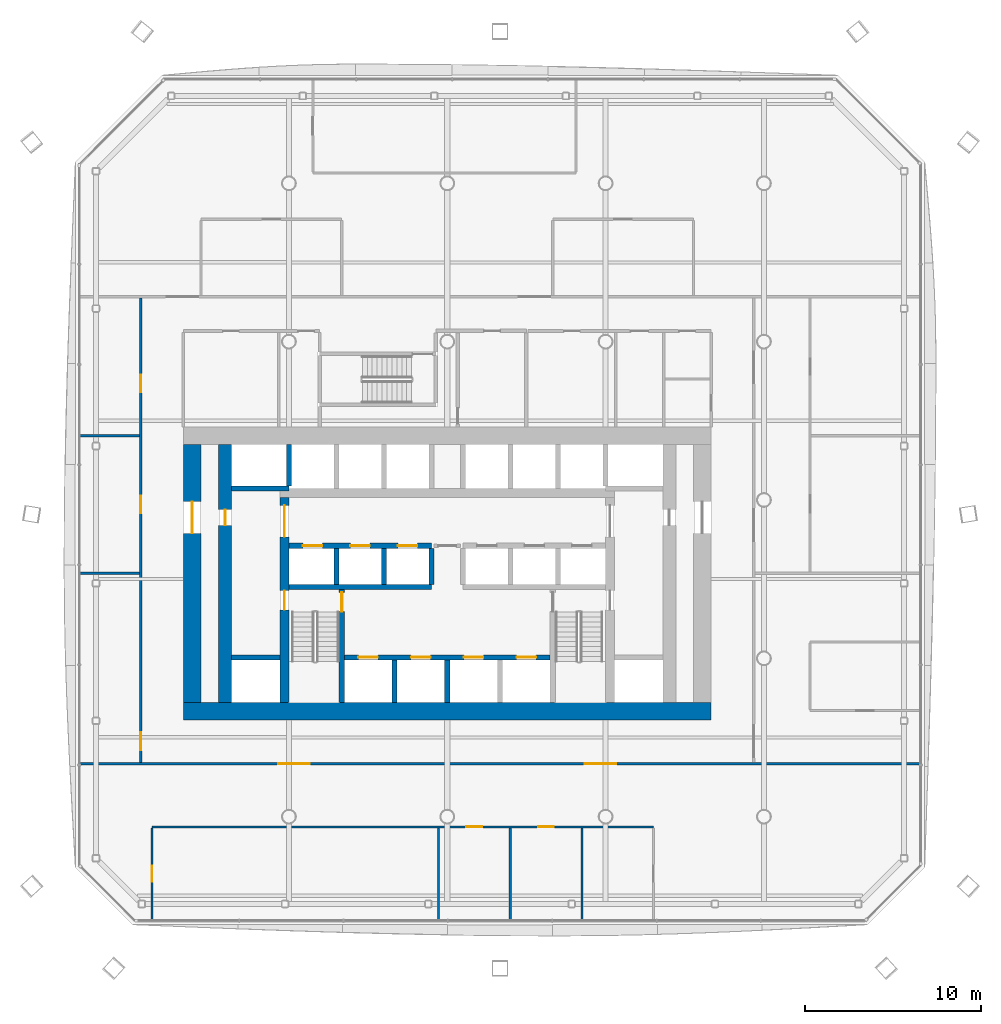
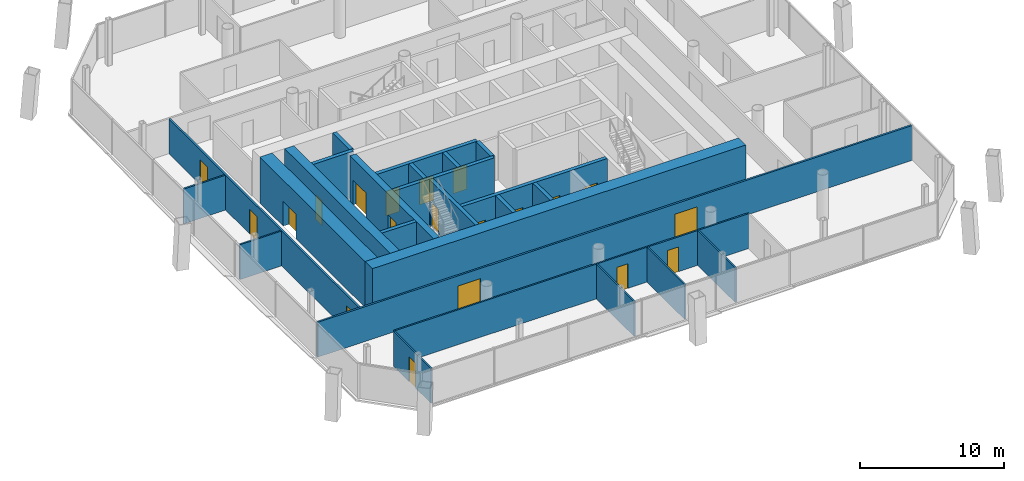
# One storey, part 11 of 19: 25 walls, 20 doors, 20 openings.
"""IFC4 building model written with IfcOpenShell, lengths in metres."""

from ifc_helpers import new_model, si_unit, direction, frame, frame_2d, origin, place, context, subcontext, project, spatial, rectangle, extrude, material, layer, layer_set, type_object, element, fill, save


model = new_model("IFC4")

# Units and contexts
model_context = context("Model", 3, precision=1e-05, world=origin(), true_north=direction((0.0, 1.0)))
body_context = subcontext(model_context, "Body", "Model", "MODEL_VIEW")
ifc_project = project(units=[si_unit("LENGTHUNIT", "METRE"), si_unit("AREAUNIT", "SQUARE_METRE"), si_unit("VOLUMEUNIT", "CUBIC_METRE"), si_unit("PLANEANGLEUNIT", "RADIAN"), si_unit("MASSUNIT", "GRAM", prefix="KILO")], contexts=[model_context])

# Site, building, storey
site_placement = place(None, origin())
site = spatial("IfcSite", under=ifc_project, at=site_placement, CompositionType="ELEMENT")
building_placement = place(site_placement, origin())
building = spatial("IfcBuilding", under=site, at=building_placement, Name="Tskaro Facet Tower", CompositionType="ELEMENT")
storey_placement = place(building_placement, frame((0.0, 0.0, 105.0)))
storey = spatial("IfcBuildingStorey", under=building, at=storey_placement, Name="L25", CompositionType="ELEMENT", Elevation=105.0)

# Wall
ifc_material_1 = material(Name="Concrete C60/75", Category="concrete")
ifc_layer_1 = layer(ifc_material_1, 0.300048828125, Name="Concrete C60/75")
ifc_layer_set_1 = layer_set([ifc_layer_1], Name="Concrete C60/75")
wall_type_1 = type_object("IfcWallType", Name="CORE-SHAFT", PredefinedType="SHEAR", material=ifc_layer_set_1)
wall_1_placement = place(storey_placement, frame((-12.25, -8.949951171875, 0.0), z_axis=(0.0, 0.0, 1.0), x_axis=(1.0, 0.0, 0.0)))
element("IfcWall", 1, at=wall_1_placement, inside=storey, type_object=wall_type_1, Name="Shaft wall W004", PredefinedType="SHEAR", context=body_context, shape_type="SweptSolid", body=[
    extrude(rectangle(XDim=2.75, YDim=0.300048828125, at=frame_2d((1.375, 0.0))), origin(), (0.0, 0.0, 1.0), 3.89990234375),
])

# Wall, openings, doors
wall_2_placement = place(storey_placement, frame((-5.85009765625, -8.949951171875, 0.0), z_axis=(0.0, 0.0, 1.0), x_axis=(1.0, 0.0, 0.0)))
wall_2 = element("IfcWall", 2, at=wall_2_placement, inside=storey, type_object=wall_type_1, Name="Shaft wall W005", PredefinedType="SHEAR", context=body_context, shape_type="SweptSolid", body=[
    extrude(rectangle(XDim=11.7001953125, YDim=0.300048828125, at=frame_2d((5.85009765625, 0.0))), origin(), (0.0, 0.0, 1.0), 3.89990234375),
])
opening_1_placement = place(wall_2_placement, frame((0.800048828125, 0.0, 0.0)))
opening_1 = element("IfcOpeningElement", 3, at=opening_1_placement, cuts=wall_2, Name="Opening LD-FF1", PredefinedType="OPENING", context=body_context, shape_type="SweptSolid", body=[
    extrude(rectangle(XDim=1.10009765625, YDim=2.10009765625, at=frame_2d((0.550048828125, 1.050048828125))), frame((0.0, 0.159912109375, 0.0), z_axis=(0.0, -1.0, 0.0), x_axis=(1.0, 0.0, 0.0)), (0.0, 0.0, 1.0), 0.320068359375),
])
opening_2_placement = place(wall_2_placement, frame((3.800048828125, 0.0, 0.0)))
opening_2 = element("IfcOpeningElement", 4, at=opening_2_placement, cuts=wall_2, Name="Opening LD-FF2", PredefinedType="OPENING", context=body_context, shape_type="SweptSolid", body=[
    extrude(rectangle(XDim=1.10009765625, YDim=2.10009765625, at=frame_2d((0.550048828125, 1.050048828125))), frame((0.0, 0.159912109375, 0.0), z_axis=(0.0, -1.0, 0.0), x_axis=(1.0, 0.0, 0.0)), (0.0, 0.0, 1.0), 0.320068359375),
])
opening_3_placement = place(wall_2_placement, frame((6.800048828125, 0.0, 0.0)))
opening_3 = element("IfcOpeningElement", 5, at=opening_3_placement, cuts=wall_2, Name="Opening LD-SV1", PredefinedType="OPENING", context=body_context, shape_type="SweptSolid", body=[
    extrude(rectangle(XDim=1.10009765625, YDim=2.10009765625, at=frame_2d((0.550048828125, 1.050048828125))), frame((0.0, 0.159912109375, 0.0), z_axis=(0.0, -1.0, 0.0), x_axis=(1.0, 0.0, 0.0)), (0.0, 0.0, 1.0), 0.320068359375),
])
opening_4_placement = place(wall_2_placement, frame((9.800048828125, 0.0, 0.0)))
opening_4 = element("IfcOpeningElement", 6, at=opening_4_placement, cuts=wall_2, Name="Opening LD-SV2", PredefinedType="OPENING", context=body_context, shape_type="SweptSolid", body=[
    extrude(rectangle(XDim=1.10009765625, YDim=2.10009765625, at=frame_2d((0.550048828125, 1.050048828125))), frame((0.0, 0.159912109375, 0.0), z_axis=(0.0, -1.0, 0.0), x_axis=(1.0, 0.0, 0.0)), (0.0, 0.0, 1.0), 0.320068359375),
])
ifc_material_2 = material(Name="Stainless steel", Category="steel")
door_type_1 = type_object("IfcDoorType", Name="D-LANDING", OperationType="NOTDEFINED", PredefinedType="DOOR", material=ifc_material_2)
door_1_placement = place(opening_1_placement, origin())
door_1 = element("IfcDoor", 7, at=door_1_placement, inside=storey, type_object=door_type_1, Name="Landing door FF1", OperationType="DOUBLE_DOOR_SLIDING", OverallHeight=2.10009765625, OverallWidth=1.10009765625, PredefinedType="DOOR", context=body_context, shape_type="SweptSolid", body=[
    extrude(rectangle(XDim=1.10009765625, YDim=2.10009765625, at=frame_2d((0.550048828125, 1.050048828125))), frame((0.0, 0.02490234375, 0.0), z_axis=(0.0, -1.0, 0.0), x_axis=(1.0, 0.0, 0.0)), (0.0, 0.0, 1.0), 0.050048828125),
])
fill(opening_1, door_1)
door_2_placement = place(opening_2_placement, origin())
door_2 = element("IfcDoor", 8, at=door_2_placement, inside=storey, type_object=door_type_1, Name="Landing door FF2", OperationType="DOUBLE_DOOR_SLIDING", OverallHeight=2.10009765625, OverallWidth=1.10009765625, PredefinedType="DOOR", context=body_context, shape_type="SweptSolid", body=[
    extrude(rectangle(XDim=1.10009765625, YDim=2.10009765625, at=frame_2d((0.550048828125, 1.050048828125))), frame((0.0, 0.02490234375, 0.0), z_axis=(0.0, -1.0, 0.0), x_axis=(1.0, 0.0, 0.0)), (0.0, 0.0, 1.0), 0.050048828125),
])
fill(opening_2, door_2)
door_3_placement = place(opening_3_placement, origin())
door_3 = element("IfcDoor", 9, at=door_3_placement, inside=storey, type_object=door_type_1, Name="Landing door SV1", OperationType="DOUBLE_DOOR_SLIDING", OverallHeight=2.10009765625, OverallWidth=1.10009765625, PredefinedType="DOOR", context=body_context, shape_type="SweptSolid", body=[
    extrude(rectangle(XDim=1.10009765625, YDim=2.10009765625, at=frame_2d((0.550048828125, 1.050048828125))), frame((0.0, 0.02490234375, 0.0), z_axis=(0.0, -1.0, 0.0), x_axis=(1.0, 0.0, 0.0)), (0.0, 0.0, 1.0), 0.050048828125),
])
fill(opening_3, door_3)
door_4_placement = place(opening_4_placement, origin())
door_4 = element("IfcDoor", 10, at=door_4_placement, inside=storey, type_object=door_type_1, Name="Landing door SV2", OperationType="DOUBLE_DOOR_SLIDING", OverallHeight=2.10009765625, OverallWidth=1.10009765625, PredefinedType="DOOR", context=body_context, shape_type="SweptSolid", body=[
    extrude(rectangle(XDim=1.10009765625, YDim=2.10009765625, at=frame_2d((0.550048828125, 1.050048828125))), frame((0.0, 0.02490234375, 0.0), z_axis=(0.0, -1.0, 0.0), x_axis=(1.0, 0.0, 0.0)), (0.0, 0.0, 1.0), 0.050048828125),
])
fill(opening_4, door_4)

# Wall
wall_3_placement = place(storey_placement, frame((-9.0, -4.949951171875, 0.0), z_axis=(0.0, 0.0, 1.0), x_axis=(1.0, 0.0, 0.0)))
element("IfcWall", 11, at=wall_3_placement, inside=storey, type_object=wall_type_1, Name="Shaft wall W008", PredefinedType="SHEAR", context=body_context, shape_type="SweptSolid", body=[
    extrude(rectangle(XDim=8.10009765625, YDim=0.300048828125, at=frame_2d((4.050048828125, 0.0))), origin(), (0.0, 0.0, 1.0), 3.89990234375),
])

# Wall, openings, doors
wall_4_placement = place(storey_placement, frame((-9.0, -2.60009765625, 0.0), z_axis=(0.0, 0.0, 1.0), x_axis=(1.0, 0.0, 0.0)))
wall_4 = element("IfcWall", 12, at=wall_4_placement, inside=storey, type_object=wall_type_1, Name="Shaft wall W012", PredefinedType="SHEAR", context=body_context, shape_type="SweptSolid", body=[
    extrude(rectangle(XDim=8.10009765625, YDim=0.300048828125, at=frame_2d((4.050048828125, 0.0))), origin(), (0.0, 0.0, 1.0), 3.89990234375),
])
opening_5_placement = place(wall_4_placement, frame((0.800048828125, 0.0, 0.0)))
opening_5 = element("IfcOpeningElement", 13, at=opening_5_placement, cuts=wall_4, Name="Opening LD-LR1", PredefinedType="OPENING", context=body_context, shape_type="SweptSolid", body=[
    extrude(rectangle(XDim=1.10009765625, YDim=2.10009765625, at=frame_2d((0.550048828125, 1.050048828125))), frame((0.0, 0.159912109375, 0.0), z_axis=(0.0, -1.0, 0.0), x_axis=(1.0, 0.0, 0.0)), (0.0, 0.0, 1.0), 0.320068359375),
])
opening_6_placement = place(wall_4_placement, frame((3.5, 0.0, 0.0)))
opening_6 = element("IfcOpeningElement", 14, at=opening_6_placement, cuts=wall_4, Name="Opening LD-LR2", PredefinedType="OPENING", context=body_context, shape_type="SweptSolid", body=[
    extrude(rectangle(XDim=1.10009765625, YDim=2.10009765625, at=frame_2d((0.550048828125, 1.050048828125))), frame((0.0, 0.159912109375, 0.0), z_axis=(0.0, -1.0, 0.0), x_axis=(1.0, 0.0, 0.0)), (0.0, 0.0, 1.0), 0.320068359375),
])
opening_7_placement = place(wall_4_placement, frame((6.199951171875, 0.0, 0.0)))
opening_7 = element("IfcOpeningElement", 15, at=opening_7_placement, cuts=wall_4, Name="Opening LD-LR3", PredefinedType="OPENING", context=body_context, shape_type="SweptSolid", body=[
    extrude(rectangle(XDim=1.10009765625, YDim=2.10009765625, at=frame_2d((0.550048828125, 1.050048828125))), frame((0.0, 0.159912109375, 0.0), z_axis=(0.0, -1.0, 0.0), x_axis=(1.0, 0.0, 0.0)), (0.0, 0.0, 1.0), 0.320068359375),
])
door_5_placement = place(opening_5_placement, origin())
door_5 = element("IfcDoor", 16, at=door_5_placement, inside=storey, type_object=door_type_1, Name="Landing door LR1", OperationType="DOUBLE_DOOR_SLIDING", OverallHeight=2.10009765625, OverallWidth=1.10009765625, PredefinedType="DOOR", context=body_context, shape_type="SweptSolid", body=[
    extrude(rectangle(XDim=1.10009765625, YDim=2.10009765625, at=frame_2d((0.550048828125, 1.050048828125))), frame((0.0, 0.02490234375, 0.0), z_axis=(0.0, -1.0, 0.0), x_axis=(1.0, 0.0, 0.0)), (0.0, 0.0, 1.0), 0.050048828125),
])
fill(opening_5, door_5)
door_6_placement = place(opening_6_placement, origin())
door_6 = element("IfcDoor", 17, at=door_6_placement, inside=storey, type_object=door_type_1, Name="Landing door LR2", OperationType="DOUBLE_DOOR_SLIDING", OverallHeight=2.10009765625, OverallWidth=1.10009765625, PredefinedType="DOOR", context=body_context, shape_type="SweptSolid", body=[
    extrude(rectangle(XDim=1.10009765625, YDim=2.10009765625, at=frame_2d((0.550048828125, 1.050048828125))), frame((0.0, 0.02490234375, 0.0), z_axis=(0.0, -1.0, 0.0), x_axis=(1.0, 0.0, 0.0)), (0.0, 0.0, 1.0), 0.050048828125),
])
fill(opening_6, door_6)
door_7_placement = place(opening_7_placement, origin())
door_7 = element("IfcDoor", 18, at=door_7_placement, inside=storey, type_object=door_type_1, Name="Landing door LR3", OperationType="DOUBLE_DOOR_SLIDING", OverallHeight=2.10009765625, OverallWidth=1.10009765625, PredefinedType="DOOR", context=body_context, shape_type="SweptSolid", body=[
    extrude(rectangle(XDim=1.10009765625, YDim=2.10009765625, at=frame_2d((0.550048828125, 1.050048828125))), frame((0.0, 0.02490234375, 0.0), z_axis=(0.0, -1.0, 0.0), x_axis=(1.0, 0.0, 0.0)), (0.0, 0.0, 1.0), 0.050048828125),
])
fill(opening_7, door_7)

# Walls
wall_5_placement = place(storey_placement, frame((-9.0, 0.64990234375, 0.0), z_axis=(0.0, 0.0, 1.0), x_axis=(-1.0, 0.0, 0.0)))
element("IfcWall", 19, at=wall_5_placement, inside=storey, type_object=wall_type_1, Name="Shaft wall W015", PredefinedType="SHEAR", context=body_context, shape_type="SweptSolid", body=[
    extrude(rectangle(XDim=3.25, YDim=0.300048828125, at=frame_2d((1.625, 0.0))), origin(), (0.0, 0.0, 1.0), 3.89990234375),
])
wall_6_placement = place(storey_placement, frame((-9.0, 0.800048828125, 0.0), z_axis=(0.0, 0.0, 1.0), x_axis=(0.0, 1.0, 0.0)))
element("IfcWall", 20, at=wall_6_placement, inside=storey, type_object=wall_type_1, Name="Shaft wall W034", PredefinedType="SHEAR", context=body_context, shape_type="SweptSolid", body=[
    extrude(rectangle(XDim=2.349853515625, YDim=0.300048828125, at=frame_2d((1.1748046875, 0.0))), origin(), (0.0, 0.0, 1.0), 3.89990234375),
])
wall_7_placement = place(storey_placement, frame((-6.300048828125, -4.800048828125, 0.0), z_axis=(0.0, 0.0, 1.0), x_axis=(0.0, 1.0, 0.0)))
element("IfcWall", 21, at=wall_7_placement, inside=storey, type_object=wall_type_1, Name="Shaft wall W039", PredefinedType="SHEAR", context=body_context, shape_type="SweptSolid", body=[
    extrude(rectangle(XDim=2.050048828125, YDim=0.300048828125, at=frame_2d((1.02490234375, 0.0))), origin(), (0.0, 0.0, 1.0), 3.89990234375),
])

# Wall, opening, door
wall_8_placement = place(storey_placement, frame((-6.0, -11.5, 0.0), z_axis=(0.0, 0.0, 1.0), x_axis=(0.0, 1.0, 0.0)))
wall_8 = element("IfcWall", 22, at=wall_8_placement, inside=storey, type_object=wall_type_1, Name="Shaft wall W041", PredefinedType="SHEAR", context=body_context, shape_type="SweptSolid", body=[
    extrude(rectangle(XDim=6.39990234375, YDim=0.300048828125, at=frame_2d((3.199951171875, 0.0))), origin(), (0.0, 0.0, 1.0), 3.89990234375),
])
opening_8_placement = place(wall_8_placement, frame((5.14990234375, 0.0, 0.0)))
opening_8 = element("IfcOpeningElement", 23, at=opening_8_placement, cuts=wall_8, Name="Opening ST-1-D1", PredefinedType="OPENING", context=body_context, shape_type="SweptSolid", body=[
    extrude(rectangle(XDim=1.10009765625, YDim=2.10009765625, at=frame_2d((0.550048828125, 1.050048828125))), frame((0.0, 0.159912109375, 0.0), z_axis=(0.0, -1.0, 0.0), x_axis=(1.0, 0.0, 0.0)), (0.0, 0.0, 1.0), 0.320068359375),
])
ifc_material_3 = material(Name="Steel", Category="steel")
door_type_2 = type_object("IfcDoorType", Name="D-STAIR", OperationType="NOTDEFINED", PredefinedType="DOOR", material=ifc_material_3)
door_8_placement = place(opening_8_placement, origin())
door_8 = element("IfcDoor", 24, at=door_8_placement, inside=storey, type_object=door_type_2, Name="Stair door 1", OperationType="SINGLE_SWING_LEFT", OverallHeight=2.10009765625, OverallWidth=1.10009765625, PredefinedType="DOOR", context=body_context, shape_type="SweptSolid", body=[
    extrude(rectangle(XDim=1.10009765625, YDim=2.10009765625, at=frame_2d((0.550048828125, 1.050048828125))), frame((0.0, 0.02490234375, 0.0), z_axis=(0.0, -1.0, 0.0), x_axis=(1.0, 0.0, 0.0)), (0.0, 0.0, 1.0), 0.050048828125),
])
fill(opening_8, door_8)

# Walls
wall_9_placement = place(storey_placement, frame((-3.60009765625, -4.800048828125, 0.0), z_axis=(0.0, 0.0, 1.0), x_axis=(0.0, 1.0, 0.0)))
element("IfcWall", 25, at=wall_9_placement, inside=storey, type_object=wall_type_1, Name="Shaft wall W043", PredefinedType="SHEAR", context=body_context, shape_type="SweptSolid", body=[
    extrude(rectangle(XDim=2.050048828125, YDim=0.300048828125, at=frame_2d((1.02490234375, 0.0))), origin(), (0.0, 0.0, 1.0), 3.89990234375),
])
wall_10_placement = place(storey_placement, frame((-3.0, -11.5, 0.0), z_axis=(0.0, 0.0, 1.0), x_axis=(0.0, 1.0, 0.0)))
element("IfcWall", 26, at=wall_10_placement, inside=storey, type_object=wall_type_1, Name="Shaft wall W045", PredefinedType="SHEAR", context=body_context, shape_type="SweptSolid", body=[
    extrude(rectangle(XDim=2.39990234375, YDim=0.300048828125, at=frame_2d((1.199951171875, 0.0))), origin(), (0.0, 0.0, 1.0), 3.89990234375),
])
wall_11_placement = place(storey_placement, frame((-0.89990234375, -4.800048828125, 0.0), z_axis=(0.0, 0.0, 1.0), x_axis=(0.0, 1.0, 0.0)))
element("IfcWall", 27, at=wall_11_placement, inside=storey, type_object=wall_type_1, Name="Shaft wall W046", PredefinedType="SHEAR", context=body_context, shape_type="SweptSolid", body=[
    extrude(rectangle(XDim=2.050048828125, YDim=0.300048828125, at=frame_2d((1.02490234375, 0.0))), origin(), (0.0, 0.0, 1.0), 3.89990234375),
])
wall_12_placement = place(storey_placement, frame((0.0, -11.5, 0.0), z_axis=(0.0, 0.0, 1.0), x_axis=(0.0, 1.0, 0.0)))
element("IfcWall", 28, at=wall_12_placement, inside=storey, type_object=wall_type_1, Name="Shaft wall W051", PredefinedType="SHEAR", context=body_context, shape_type="SweptSolid", body=[
    extrude(rectangle(XDim=2.39990234375, YDim=0.300048828125, at=frame_2d((1.199951171875, 0.0))), origin(), (0.0, 0.0, 1.0), 3.89990234375),
])
ifc_layer_2 = layer(ifc_material_1, 1.0, Name="Concrete C60/75")
ifc_layer_set_2 = layer_set([ifc_layer_2], Name="Concrete C60/75")
wall_type_2 = type_object("IfcWallType", Name="Core wall 1000", PredefinedType="SHEAR", material=ifc_layer_set_2)
wall_13_placement = place(storey_placement, frame((-15.0, -12.0, 0.0), z_axis=(0.0, 0.0, 1.0), x_axis=(1.0, 0.0, 0.0)))
element("IfcWall", 29, at=wall_13_placement, inside=storey, type_object=wall_type_2, Name="Core wall CW-Z1S", PredefinedType="SHEAR", context=body_context, shape_type="SweptSolid", body=[
    extrude(rectangle(XDim=30.0, YDim=1.0, at=frame_2d((15.0, 0.0))), origin(), (0.0, 0.0, 1.0), 3.89990234375),
])

# Wall, opening, door
wall_14_placement = place(storey_placement, frame((-14.5, -11.5, 0.0), z_axis=(0.0, 0.0, 1.0), x_axis=(0.0, 1.0, 0.0)))
wall_14 = element("IfcWall", 30, at=wall_14_placement, inside=storey, type_object=wall_type_2, Name="Core wall CW-Z1W", PredefinedType="SHEAR", context=body_context, shape_type="SweptSolid", body=[
    extrude(rectangle(XDim=14.64990234375, YDim=1.0, at=frame_2d((7.324951171875, 0.0))), origin(), (0.0, 0.0, 1.0), 3.89990234375),
])
opening_9_placement = place(wall_14_placement, frame((9.60009765625, 0.0, 0.0)))
opening_9 = element("IfcOpeningElement", 31, at=opening_9_placement, cuts=wall_14, Name="Opening T7p-D15", PredefinedType="OPENING", context=body_context, shape_type="SweptSolid", body=[
    extrude(rectangle(XDim=1.800048828125, YDim=2.10009765625, at=frame_2d((0.89990234375, 1.050048828125))), frame((0.0, 0.510009765625, 0.0), z_axis=(0.0, -1.0, 0.0), x_axis=(1.0, 0.0, 0.0)), (0.0, 0.0, 1.0), 1.02001953125),
])
door_type_3 = type_object("IfcDoorType", Name="D-CORE-PAIR", OperationType="NOTDEFINED", PredefinedType="DOOR", material=ifc_material_3)
door_9_placement = place(opening_9_placement, origin())
door_9 = element("IfcDoor", 32, at=door_9_placement, inside=storey, type_object=door_type_3, Name="Door T7p-D15", OperationType="DOUBLE_DOOR_SINGLE_SWING", OverallHeight=2.10009765625, OverallWidth=1.800048828125, PredefinedType="DOOR", context=body_context, shape_type="SweptSolid", body=[
    extrude(rectangle(XDim=1.800048828125, YDim=2.10009765625, at=frame_2d((0.89990234375, 1.050048828125))), frame((0.0, 0.02490234375, 0.0), z_axis=(0.0, -1.0, 0.0), x_axis=(1.0, 0.0, 0.0)), (0.0, 0.0, 1.0), 0.050048828125),
])
fill(opening_9, door_9)

# Wall, openings, doors
ifc_material_4 = material(Name="Concrete C40/50", Category="concrete")
ifc_layer_3 = layer(ifc_material_4, 0.5, Name="Concrete C40/50")
ifc_layer_set_3 = layer_set([ifc_layer_3], Name="Concrete C40/50")
wall_type_3 = type_object("IfcWallType", Name="Core wall 500", PredefinedType="SHEAR", material=ifc_layer_set_3)
wall_15_placement = place(storey_placement, frame((-9.25, -11.5, 0.0), z_axis=(0.0, 0.0, 1.0), x_axis=(0.0, 1.0, 0.0)))
wall_15 = element("IfcWall", 33, at=wall_15_placement, inside=storey, type_object=wall_type_3, Name="Core wall CW-Z3W", PredefinedType="SHEAR", context=body_context, shape_type="SweptSolid", body=[
    extrude(rectangle(XDim=11.64990234375, YDim=0.5, at=frame_2d((5.824951171875, 0.0))), origin(), (0.0, 0.0, 1.0), 3.89990234375),
])
opening_10_placement = place(wall_15_placement, frame((9.39990234375, 0.0, 0.0)))
opening_10 = element("IfcOpeningElement", 34, at=opening_10_placement, cuts=wall_15, Name="Opening T7p-D13", PredefinedType="OPENING", context=body_context, shape_type="SweptSolid", body=[
    extrude(rectangle(XDim=1.800048828125, YDim=2.10009765625, at=frame_2d((0.89990234375, 1.050048828125))), frame((0.0, 0.260009765625, 0.0), z_axis=(0.0, -1.0, 0.0), x_axis=(1.0, 0.0, 0.0)), (0.0, 0.0, 1.0), 0.52001953125),
])
opening_11_placement = place(wall_15_placement, frame((5.25, 0.0, 0.0)))
opening_11 = element("IfcOpeningElement", 35, at=opening_11_placement, cuts=wall_15, Name="Opening ST-1-D2", PredefinedType="OPENING", context=body_context, shape_type="SweptSolid", body=[
    extrude(rectangle(XDim=1.10009765625, YDim=2.10009765625, at=frame_2d((0.550048828125, 1.050048828125))), frame((0.0, 0.260009765625, 0.0), z_axis=(0.0, -1.0, 0.0), x_axis=(1.0, 0.0, 0.0)), (0.0, 0.0, 1.0), 0.52001953125),
])
door_10_placement = place(opening_10_placement, origin())
door_10 = element("IfcDoor", 36, at=door_10_placement, inside=storey, type_object=door_type_3, Name="Door T7p-D13", OperationType="DOUBLE_DOOR_SINGLE_SWING", OverallHeight=2.10009765625, OverallWidth=1.800048828125, PredefinedType="DOOR", context=body_context, shape_type="SweptSolid", body=[
    extrude(rectangle(XDim=1.800048828125, YDim=2.10009765625, at=frame_2d((0.89990234375, 1.050048828125))), frame((0.0, 0.02490234375, 0.0), z_axis=(0.0, -1.0, 0.0), x_axis=(1.0, 0.0, 0.0)), (0.0, 0.0, 1.0), 0.050048828125),
])
fill(opening_10, door_10)
door_11_placement = place(opening_11_placement, origin())
door_11 = element("IfcDoor", 37, at=door_11_placement, inside=storey, type_object=door_type_2, Name="Stair door 1 west", OperationType="SINGLE_SWING_LEFT", OverallHeight=2.10009765625, OverallWidth=1.10009765625, PredefinedType="DOOR", context=body_context, shape_type="SweptSolid", body=[
    extrude(rectangle(XDim=1.10009765625, YDim=2.10009765625, at=frame_2d((0.550048828125, 1.050048828125))), frame((0.0, 0.02490234375, 0.0), z_axis=(0.0, -1.0, 0.0), x_axis=(1.0, 0.0, 0.0)), (0.0, 0.0, 1.0), 0.050048828125),
])
fill(opening_11, door_11)

# Wall, opening, door
ifc_material_5 = material(Name="Concrete C50/60", Category="concrete")
ifc_layer_4 = layer(ifc_material_5, 0.75, Name="Concrete C50/60")
ifc_layer_set_4 = layer_set([ifc_layer_4], Name="Concrete C50/60")
wall_type_4 = type_object("IfcWallType", Name="Core wall 750", PredefinedType="SHEAR", material=ifc_layer_set_4)
wall_16_placement = place(storey_placement, frame((-12.625, -11.5, 0.0), z_axis=(0.0, 0.0, 1.0), x_axis=(0.0, 1.0, 0.0)))
wall_16 = element("IfcWall", 38, at=wall_16_placement, inside=storey, type_object=wall_type_4, Name="Core wall CW-Z2W", PredefinedType="SHEAR", context=body_context, shape_type="SweptSolid", body=[
    extrude(rectangle(XDim=14.64990234375, YDim=0.75, at=frame_2d((7.324951171875, 0.0))), origin(), (0.0, 0.0, 1.0), 3.89990234375),
])
opening_12_placement = place(wall_16_placement, frame((10.050048828125, 0.0, 0.0)))
opening_12 = element("IfcOpeningElement", 39, at=opening_12_placement, cuts=wall_16, Name="Opening T7p-D16", PredefinedType="OPENING", context=body_context, shape_type="SweptSolid", body=[
    extrude(rectangle(XDim=0.89990234375, YDim=2.10009765625, at=frame_2d((0.449951171875, 1.050048828125))), frame((0.0, 0.385009765625, 0.0), z_axis=(0.0, -1.0, 0.0), x_axis=(1.0, 0.0, 0.0)), (0.0, 0.0, 1.0), 0.77001953125),
])
ifc_material_6 = material(Name="Timber", Category="wood")
door_type_4 = type_object("IfcDoorType", Name="D-ROOM", OperationType="NOTDEFINED", PredefinedType="DOOR", material=ifc_material_6)
door_12_placement = place(opening_12_placement, origin())
door_12 = element("IfcDoor", 40, at=door_12_placement, inside=storey, type_object=door_type_4, Name="Door T7p-D16", OperationType="SINGLE_SWING_LEFT", OverallHeight=2.10009765625, OverallWidth=0.89990234375, PredefinedType="DOOR", context=body_context, shape_type="SweptSolid", body=[
    extrude(rectangle(XDim=0.89990234375, YDim=2.10009765625, at=frame_2d((0.449951171875, 1.050048828125))), frame((0.0, 0.02490234375, 0.0), z_axis=(0.0, -1.0, 0.0), x_axis=(1.0, 0.0, 0.0)), (0.0, 0.0, 1.0), 0.050048828125),
])
fill(opening_12, door_12)

# Wall, openings, doors
ifc_material_7 = material(Name="Gypsum board on steel studs", Category="steel")
ifc_layer_5 = layer(ifc_material_7, 0.125, Name="Gypsum board on steel studs")
ifc_layer_set_5 = layer_set([ifc_layer_5], Name="Gypsum board on steel studs")
wall_type_5 = type_object("IfcWallType", Name="PART", PredefinedType="PARTITIONING", material=ifc_layer_set_5)
wall_17_placement = place(storey_placement, frame((11.72607421875, -18.580078125, 0.0), z_axis=(0.0, 0.0, 1.0), x_axis=(-1.0, 0.0, 0.0)))
wall_17 = element("IfcWall", 41, at=wall_17_placement, inside=storey, type_object=wall_type_5, Name="Partition W001", PredefinedType="PARTITIONING", context=body_context, shape_type="SweptSolid", body=[
    extrude(rectangle(XDim=28.510009765625, YDim=0.125, at=frame_2d((14.2548828125, 0.0))), origin(), (0.0, 0.0, 1.0), 2.9599609375),
])
opening_13_placement = place(wall_17_placement, frame((9.732421875, 0.0, 0.0)))
opening_13 = element("IfcOpeningElement", 42, at=opening_13_placement, cuts=wall_17, Name="Opening T7p-D03", PredefinedType="OPENING", context=body_context, shape_type="SweptSolid", body=[
    extrude(rectangle(XDim=0.89990234375, YDim=2.10009765625, at=frame_2d((0.449951171875, 1.050048828125))), frame((0.0, 0.072509765625, 0.0), z_axis=(0.0, -1.0, 0.0), x_axis=(1.0, 0.0, 0.0)), (0.0, 0.0, 1.0), 0.14501953125),
])
opening_14_placement = place(wall_17_placement, frame((5.659423828125, 0.0, 0.0)))
opening_14 = element("IfcOpeningElement", 43, at=opening_14_placement, cuts=wall_17, Name="Opening T7p-D04", PredefinedType="OPENING", context=body_context, shape_type="SweptSolid", body=[
    extrude(rectangle(XDim=0.89990234375, YDim=2.10009765625, at=frame_2d((0.449951171875, 1.050048828125))), frame((0.0, 0.072509765625, 0.0), z_axis=(0.0, -1.0, 0.0), x_axis=(1.0, 0.0, 0.0)), (0.0, 0.0, 1.0), 0.14501953125),
])
door_13_placement = place(opening_13_placement, origin())
door_13 = element("IfcDoor", 44, at=door_13_placement, inside=storey, type_object=door_type_4, Name="Door T7p-D03", OperationType="SINGLE_SWING_RIGHT", OverallHeight=2.10009765625, OverallWidth=0.89990234375, PredefinedType="DOOR", context=body_context, shape_type="SweptSolid", body=[
    extrude(rectangle(XDim=0.89990234375, YDim=2.10009765625, at=frame_2d((0.449951171875, 1.050048828125))), frame((0.0, 0.02490234375, 0.0), z_axis=(0.0, -1.0, 0.0), x_axis=(1.0, 0.0, 0.0)), (0.0, 0.0, 1.0), 0.050048828125),
])
fill(opening_13, door_13)
door_14_placement = place(opening_14_placement, origin())
door_14 = element("IfcDoor", 45, at=door_14_placement, inside=storey, type_object=door_type_4, Name="Door T7p-D04", OperationType="SINGLE_SWING_RIGHT", OverallHeight=2.10009765625, OverallWidth=0.89990234375, PredefinedType="DOOR", context=body_context, shape_type="SweptSolid", body=[
    extrude(rectangle(XDim=0.89990234375, YDim=2.10009765625, at=frame_2d((0.449951171875, 1.050048828125))), frame((0.0, 0.02490234375, 0.0), z_axis=(0.0, -1.0, 0.0), x_axis=(1.0, 0.0, 0.0)), (0.0, 0.0, 1.0), 0.050048828125),
])
fill(opening_14, door_14)

# Walls
for number, where, z_axis, x_axis, name in (
    (46, (-20.864990234375, -4.162109375, 0.0), (0.0, 0.0, 1.0), (1.0, 0.0, 0.0), "Partition W010"),
    (47, (-20.864990234375, 3.64794921875, 0.0), (0.0, 0.0, 1.0), (1.0, 0.0, 0.0), "Partition W017"),
):
    element("IfcWall", number, at=place(storey_placement, frame(where, z_axis=z_axis, x_axis=x_axis)), inside=storey, type_object=wall_type_5, Name=name, PredefinedType="PARTITIONING", context=body_context, shape_type="SweptSolid", body=[
        extrude(rectangle(XDim=3.364990234375, YDim=0.125, at=frame_2d((1.6826171875, 0.0))), origin(), (0.0, 0.0, 1.0), 2.9599609375),
    ])

# Wall, opening, door
wall_18_placement = place(storey_placement, frame((-16.783935546875, -18.642578125, 0.0), z_axis=(0.0, 0.0, 1.0), x_axis=(0.0, -1.0, 0.0)))
wall_18 = element("IfcWall", 48, at=wall_18_placement, inside=storey, type_object=wall_type_5, Name="Partition W030", PredefinedType="PARTITIONING", context=body_context, shape_type="SweptSolid", body=[
    extrude(rectangle(XDim=5.222412109375, YDim=0.125, at=frame_2d((2.611328125, 0.0))), origin(), (0.0, 0.0, 1.0), 2.9599609375),
])
opening_15_placement = place(wall_18_placement, frame((2.1611328125, 0.0, 0.0)))
opening_15 = element("IfcOpeningElement", 49, at=opening_15_placement, cuts=wall_18, Name="Opening T7p-D01", PredefinedType="OPENING", context=body_context, shape_type="SweptSolid", body=[
    extrude(rectangle(XDim=0.89990234375, YDim=2.10009765625, at=frame_2d((0.449951171875, 1.050048828125))), frame((0.0, 0.072509765625, 0.0), z_axis=(0.0, -1.0, 0.0), x_axis=(1.0, 0.0, 0.0)), (0.0, 0.0, 1.0), 0.14501953125),
])
door_15_placement = place(opening_15_placement, origin())
door_15 = element("IfcDoor", 50, at=door_15_placement, inside=storey, type_object=door_type_4, Name="Door T7p-D01", OperationType="SINGLE_SWING_RIGHT", OverallHeight=2.10009765625, OverallWidth=0.89990234375, PredefinedType="DOOR", context=body_context, shape_type="SweptSolid", body=[
    extrude(rectangle(XDim=0.89990234375, YDim=2.10009765625, at=frame_2d((0.449951171875, 1.050048828125))), frame((0.0, 0.02490234375, 0.0), z_axis=(0.0, -1.0, 0.0), x_axis=(1.0, 0.0, 0.0)), (0.0, 0.0, 1.0), 0.050048828125),
])
fill(opening_15, door_15)

# Walls
for number, where, z_axis, x_axis, name in (
    (51, (-0.492919921875, -23.864990234375, 0.0), (0.0, 0.0, 1.0), (0.0, 1.0, 0.0), "Partition W050"),
    (52, (3.580078125, -23.864990234375, 0.0), (0.0, 0.0, 1.0), (0.0, 1.0, 0.0), "Partition W056"),
    (53, (7.653076171875, -23.864990234375, 0.0), (0.0, 0.0, 1.0), (0.0, 1.0, 0.0), "Partition W065"),
):
    element("IfcWall", number, at=place(storey_placement, frame(where, z_axis=z_axis, x_axis=x_axis)), inside=storey, type_object=wall_type_5, Name=name, PredefinedType="PARTITIONING", context=body_context, shape_type="SweptSolid", body=[
        extrude(rectangle(XDim=5.222412109375, YDim=0.125, at=frame_2d((2.611328125, 0.0))), origin(), (0.0, 0.0, 1.0), 2.9599609375),
    ])

# Wall, openings, doors
ifc_layer_6 = layer(ifc_material_7, 0.14990234375, Name="Gypsum board on steel studs")
ifc_layer_set_6 = layer_set([ifc_layer_6], Name="Gypsum board on steel studs")
wall_type_6 = type_object("IfcWallType", Name="PART-CORR", PredefinedType="PARTITIONING", material=ifc_layer_set_6)
wall_19_placement = place(storey_placement, frame((-20.864990234375, -15.0, 0.0), z_axis=(0.0, 0.0, 1.0), x_axis=(1.0, 0.0, 0.0)))
wall_19 = element("IfcWall", 54, at=wall_19_placement, inside=storey, type_object=wall_type_6, Name="Corridor wall W002", PredefinedType="PARTITIONING", context=body_context, shape_type="SweptSolid", body=[
    extrude(rectangle(XDim=47.72998046875, YDim=0.14990234375, at=frame_2d((23.864990234375, 0.0))), origin(), (0.0, 0.0, 1.0), 2.9599609375),
])
opening_16_placement = place(wall_19_placement, frame((11.251953125, 0.0, 0.0)))
opening_16 = element("IfcOpeningElement", 55, at=opening_16_placement, cuts=wall_19, Name="Opening T7p-D05", PredefinedType="OPENING", context=body_context, shape_type="SweptSolid", body=[
    extrude(rectangle(XDim=1.800048828125, YDim=2.10009765625, at=frame_2d((0.89990234375, 1.050048828125))), frame((0.0, 0.0849609375, 0.0), z_axis=(0.0, -1.0, 0.0), x_axis=(1.0, 0.0, 0.0)), (0.0, 0.0, 1.0), 0.169921875),
])
opening_17_placement = place(wall_19_placement, frame((28.677978515625, 0.0, 0.0)))
opening_17 = element("IfcOpeningElement", 56, at=opening_17_placement, cuts=wall_19, Name="Opening T7p-D06", PredefinedType="OPENING", context=body_context, shape_type="SweptSolid", body=[
    extrude(rectangle(XDim=1.800048828125, YDim=2.10009765625, at=frame_2d((0.89990234375, 1.050048828125))), frame((0.0, 0.0849609375, 0.0), z_axis=(0.0, -1.0, 0.0), x_axis=(1.0, 0.0, 0.0)), (0.0, 0.0, 1.0), 0.169921875),
])
ifc_material_8 = material(Name="Glass", Category="glass")
door_type_5 = type_object("IfcDoorType", Name="D-ENTRY-PAIR", OperationType="NOTDEFINED", PredefinedType="DOOR", material=ifc_material_8)
door_16_placement = place(opening_16_placement, origin())
door_16 = element("IfcDoor", 57, at=door_16_placement, inside=storey, type_object=door_type_5, Name="Door T7p-D05", OperationType="DOUBLE_DOOR_SINGLE_SWING", OverallHeight=2.10009765625, OverallWidth=1.800048828125, PredefinedType="DOOR", context=body_context, shape_type="SweptSolid", body=[
    extrude(rectangle(XDim=1.800048828125, YDim=2.10009765625, at=frame_2d((0.89990234375, 1.050048828125))), frame((0.0, 0.02490234375, 0.0), z_axis=(0.0, -1.0, 0.0), x_axis=(1.0, 0.0, 0.0)), (0.0, 0.0, 1.0), 0.050048828125),
])
fill(opening_16, door_16)
door_17_placement = place(opening_17_placement, origin())
door_17 = element("IfcDoor", 58, at=door_17_placement, inside=storey, type_object=door_type_5, Name="Door T7p-D06", OperationType="DOUBLE_DOOR_SINGLE_SWING", OverallHeight=2.10009765625, OverallWidth=1.800048828125, PredefinedType="DOOR", context=body_context, shape_type="SweptSolid", body=[
    extrude(rectangle(XDim=1.800048828125, YDim=2.10009765625, at=frame_2d((0.89990234375, 1.050048828125))), frame((0.0, 0.02490234375, 0.0), z_axis=(0.0, -1.0, 0.0), x_axis=(1.0, 0.0, 0.0)), (0.0, 0.0, 1.0), 0.050048828125),
])
fill(opening_17, door_17)

wall_20_placement = place(storey_placement, frame((-17.425048828125, -14.925048828125, 0.0), z_axis=(0.0, 0.0, 1.0), x_axis=(0.0, 1.0, 0.0)))
wall_20 = element("IfcWall", 59, at=wall_20_placement, inside=storey, type_object=wall_type_6, Name="Corridor wall W029", PredefinedType="PARTITIONING", context=body_context, shape_type="SweptSolid", body=[
    extrude(rectangle(XDim=26.405029296875, YDim=0.14990234375, at=frame_2d((13.20263671875, 0.0))), origin(), (0.0, 0.0, 1.0), 2.9599609375),
])
opening_18_placement = place(wall_20_placement, frame((0.71240234375, 0.0, 0.0)))
opening_18 = element("IfcOpeningElement", 60, at=opening_18_placement, cuts=wall_20, Name="Opening T7p-D07", PredefinedType="OPENING", context=body_context, shape_type="SweptSolid", body=[
    extrude(rectangle(XDim=1.0, YDim=2.10009765625, at=frame_2d((0.5, 1.050048828125))), frame((0.0, 0.0849609375, 0.0), z_axis=(0.0, -1.0, 0.0), x_axis=(1.0, 0.0, 0.0)), (0.0, 0.0, 1.0), 0.169921875),
])
opening_19_placement = place(wall_20_placement, frame((14.16796875, 0.0, 0.0)))
opening_19 = element("IfcOpeningElement", 61, at=opening_19_placement, cuts=wall_20, Name="Opening T7p-D19", PredefinedType="OPENING", context=body_context, shape_type="SweptSolid", body=[
    extrude(rectangle(XDim=1.0, YDim=2.10009765625, at=frame_2d((0.5, 1.050048828125))), frame((0.0, 0.0849609375, 0.0), z_axis=(0.0, -1.0, 0.0), x_axis=(1.0, 0.0, 0.0)), (0.0, 0.0, 1.0), 0.169921875),
])
opening_20_placement = place(wall_20_placement, frame((21.051513671875, 0.0, 0.0)))
opening_20 = element("IfcOpeningElement", 62, at=opening_20_placement, cuts=wall_20, Name="Opening T7p-D25", PredefinedType="OPENING", context=body_context, shape_type="SweptSolid", body=[
    extrude(rectangle(XDim=1.0, YDim=2.10009765625, at=frame_2d((0.5, 1.050048828125))), frame((0.0, 0.0849609375, 0.0), z_axis=(0.0, -1.0, 0.0), x_axis=(1.0, 0.0, 0.0)), (0.0, 0.0, 1.0), 0.169921875),
])
door_type_6 = type_object("IfcDoorType", Name="D-ROOM-WIDE", OperationType="NOTDEFINED", PredefinedType="DOOR", material=ifc_material_6)
door_18_placement = place(opening_18_placement, origin())
door_18 = element("IfcDoor", 63, at=door_18_placement, inside=storey, type_object=door_type_6, Name="Door T7p-D07", OperationType="SINGLE_SWING_LEFT", OverallHeight=2.10009765625, OverallWidth=1.0, PredefinedType="DOOR", context=body_context, shape_type="SweptSolid", body=[
    extrude(rectangle(XDim=1.0, YDim=2.10009765625, at=frame_2d((0.5, 1.050048828125))), frame((0.0, 0.02490234375, 0.0), z_axis=(0.0, -1.0, 0.0), x_axis=(1.0, 0.0, 0.0)), (0.0, 0.0, 1.0), 0.050048828125),
])
fill(opening_18, door_18)
door_19_placement = place(opening_19_placement, origin())
door_19 = element("IfcDoor", 64, at=door_19_placement, inside=storey, type_object=door_type_6, Name="Door T7p-D19", OperationType="SINGLE_SWING_LEFT", OverallHeight=2.10009765625, OverallWidth=1.0, PredefinedType="DOOR", context=body_context, shape_type="SweptSolid", body=[
    extrude(rectangle(XDim=1.0, YDim=2.10009765625, at=frame_2d((0.5, 1.050048828125))), frame((0.0, 0.02490234375, 0.0), z_axis=(0.0, -1.0, 0.0), x_axis=(1.0, 0.0, 0.0)), (0.0, 0.0, 1.0), 0.050048828125),
])
fill(opening_19, door_19)
door_20_placement = place(opening_20_placement, origin())
door_20 = element("IfcDoor", 65, at=door_20_placement, inside=storey, type_object=door_type_6, Name="Door T7p-D25", OperationType="SINGLE_SWING_LEFT", OverallHeight=2.10009765625, OverallWidth=1.0, PredefinedType="DOOR", context=body_context, shape_type="SweptSolid", body=[
    extrude(rectangle(XDim=1.0, YDim=2.10009765625, at=frame_2d((0.5, 1.050048828125))), frame((0.0, 0.02490234375, 0.0), z_axis=(0.0, -1.0, 0.0), x_axis=(1.0, 0.0, 0.0)), (0.0, 0.0, 1.0), 0.050048828125),
])
fill(opening_20, door_20)

save(model, "model.ifc")
